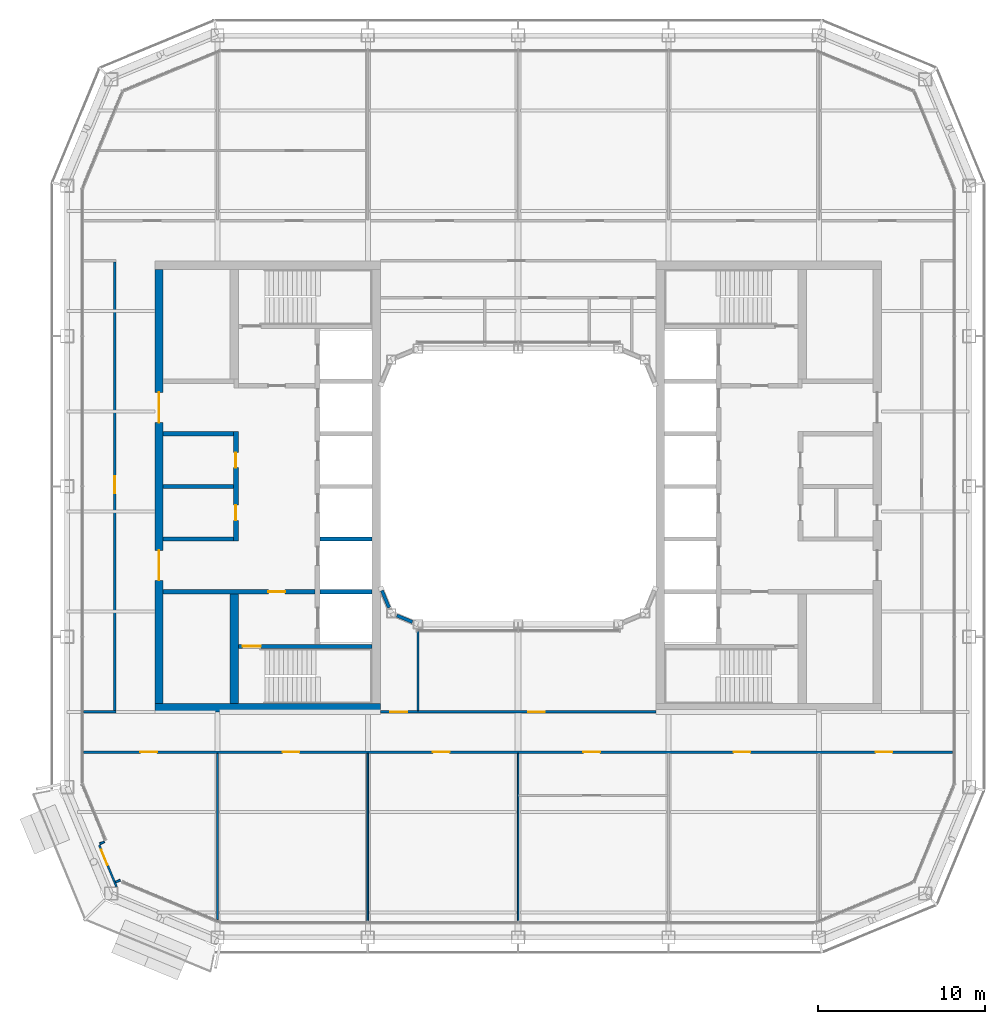
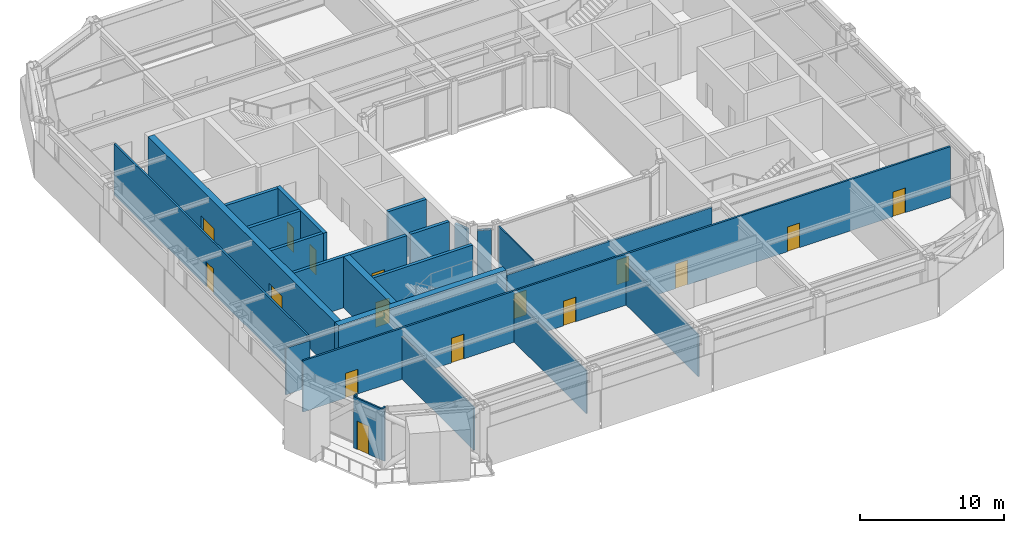
# One storey, part 13 of 23: 24 walls, 16 doors, 16 openings.
"""IFC4 building model written with IfcOpenShell, lengths in metres."""

from ifc_helpers import new_model, si_unit, direction, frame, frame_2d, origin, place, context, subcontext, project, spatial, rectangle, extrude, material, layer, layer_set, type_object, element, fill, save


model = new_model("IFC4")

# Units and contexts
model_context = context("Model", 3, precision=1e-05, world=origin(), true_north=direction((0.0, 1.0)))
body_context = subcontext(model_context, "Body", "Model", "MODEL_VIEW")
ifc_project = project(units=[si_unit("LENGTHUNIT", "METRE"), si_unit("AREAUNIT", "SQUARE_METRE"), si_unit("VOLUMEUNIT", "CUBIC_METRE"), si_unit("PLANEANGLEUNIT", "RADIAN"), si_unit("MASSUNIT", "GRAM", prefix="KILO")], contexts=[model_context])

# Site, building, storey
site_placement = place(None, origin())
site = spatial("IfcSite", under=ifc_project, at=site_placement, CompositionType="ELEMENT")
building_placement = place(site_placement, origin())
building = spatial("IfcBuilding", under=site, at=building_placement, Name="Siwar Civic Tower", CompositionType="ELEMENT")
storey_placement = place(building_placement, frame((0.0, 0.0, 251.199951171875)))
storey = spatial("IfcBuildingStorey", under=building, at=storey_placement, Name="L54", CompositionType="ELEMENT", Elevation=251.199951171875)

# Wall, opening, door
ifc_material_1 = material(Name="Concrete C60/75", Category="concrete")
ifc_layer_1 = layer(ifc_material_1, 0.25)
ifc_layer_set_1 = layer_set([ifc_layer_1], Name="Concrete C60/75")
wall_type_1 = type_object("IfcWallType", Name="CORE-WALL-RC250", PredefinedType="SHEAR", material=ifc_layer_set_1)
wall_1_placement = place(storey_placement, frame((-12.14990234375, -6.300048828125, 0.0), z_axis=(0.0, 0.0, 1.0), x_axis=(-1.0, 0.0, 0.0)))
wall_1 = element("IfcWall", 1, at=wall_1_placement, inside=storey, type_object=wall_type_1, Name="Core wall W", PredefinedType="SHEAR", context=body_context, shape_type="SweptSolid", body=[
    extrude(rectangle(XDim=9.10009765625, YDim=0.25, at=frame_2d((4.550048828125, 0.0))), origin(), (0.0, 0.0, 1.0), 4.35009765625),
])
opening_1_placement = place(wall_1_placement, frame((1.800048828125, 0.0, 0.0)))
opening_1 = element("IfcOpeningElement", 2, at=opening_1_placement, cuts=wall_1, Name="Opening L54-CW02", PredefinedType="OPENING", context=body_context, shape_type="SweptSolid", body=[
    extrude(rectangle(XDim=1.0, YDim=2.10009765625, at=frame_2d((0.5, 1.050048828125))), frame((0.0, 0.135009765625, 0.0), z_axis=(0.0, -1.0, 0.0), x_axis=(1.0, 0.0, 0.0)), (0.0, 0.0, 1.0), 0.27001953125),
])
ifc_material_2 = material(Name="Steel door leaf", Category="steel")
door_type_1 = type_object("IfcDoorType", Name="CORE-DOOR-FD30S", OperationType="SINGLE_SWING_LEFT", PredefinedType="DOOR", material=ifc_material_2)
door_1_placement = place(opening_1_placement, origin())
door_1 = element("IfcDoor", 3, at=door_1_placement, inside=storey, type_object=door_type_1, Name="Service lobby door L54-CW02", OperationType="SINGLE_SWING_RIGHT", OverallHeight=2.10009765625, OverallWidth=1.0, PredefinedType="DOOR", context=body_context, shape_type="SweptSolid", body=[
    extrude(rectangle(XDim=1.0, YDim=2.10009765625, at=frame_2d((0.5, 1.050048828125))), frame((0.0, 0.02490234375, 0.0), z_axis=(0.0, -1.0, 0.0), x_axis=(1.0, 0.0, 0.0)), (0.0, 0.0, 1.0), 0.050048828125),
])
fill(opening_1, door_1)

# Walls
for number, where, z_axis, x_axis, name in (
    (4, (-17.050048828125, 0.0, 0.0), (0.0, 0.0, 1.0), (-1.0, 0.0, 0.0), "Core wall W"),
    (5, (-17.050048828125, 3.14990234375, 0.0), (0.0, 0.0, 1.0), (-1.0, 0.0, 0.0), "Core wall W"),
    (6, (-17.050048828125, -3.14990234375, 0.0), (0.0, 0.0, 1.0), (-1.0, 0.0, 0.0), "Core wall W"),
):
    element("IfcWall", number, at=place(storey_placement, frame(where, z_axis=z_axis, x_axis=x_axis)), inside=storey, type_object=wall_type_1, Name=name, PredefinedType="SHEAR", context=body_context, shape_type="SweptSolid", body=[
        extrude(rectangle(XDim=4.199951171875, YDim=0.25, at=frame_2d((2.10009765625, 0.0))), origin(), (0.0, 0.0, 1.0), 4.35009765625),
    ])
for number, where, z_axis, x_axis, name in (
    (7, (-8.75, -3.14990234375, 0.0), (0.0, 0.0, 1.0), (-1.0, 0.0, 0.0), "Core wall W"),
    (8, (-8.75, -6.300048828125, 0.0), (0.0, 0.0, 1.0), (-1.0, 0.0, 0.0), "Core wall W"),
):
    element("IfcWall", number, at=place(storey_placement, frame(where, z_axis=z_axis, x_axis=x_axis)), inside=storey, type_object=wall_type_1, Name=name, PredefinedType="SHEAR", context=body_context, shape_type="SweptSolid", body=[
        extrude(rectangle(XDim=3.10009765625, YDim=0.25, at=frame_2d((1.550048828125, 0.0))), origin(), (0.0, 0.0, 1.0), 4.35009765625),
    ])

# Wall, opening, door
wall_2_placement = place(storey_placement, frame((-8.75, -9.574951171875, 0.0), z_axis=(0.0, 0.0, 1.0), x_axis=(-1.0, 0.0, 0.0)))
wall_2 = element("IfcWall", 9, at=wall_2_placement, inside=storey, type_object=wall_type_1, Name="Core wall W", PredefinedType="SHEAR", context=body_context, shape_type="SweptSolid", body=[
    extrude(rectangle(XDim=8.0, YDim=0.25, at=frame_2d((4.0, 0.0))), origin(), (0.0, 0.0, 1.0), 4.35009765625),
])
opening_2_placement = place(wall_2_placement, frame((6.64990234375, 0.0, 0.0)))
opening_2 = element("IfcOpeningElement", 10, at=opening_2_placement, cuts=wall_2, Name="Opening L54-CW04", PredefinedType="OPENING", context=body_context, shape_type="SweptSolid", body=[
    extrude(rectangle(XDim=1.10009765625, YDim=2.10009765625, at=frame_2d((0.550048828125, 1.050048828125))), frame((0.0, 0.135009765625, 0.0), z_axis=(0.0, -1.0, 0.0), x_axis=(1.0, 0.0, 0.0)), (0.0, 0.0, 1.0), 0.27001953125),
])
ifc_material_3 = material(Name="Steel door leaf", Category="steel")
door_type_2 = type_object("IfcDoorType", Name="CORE-DOOR-FD60S", OperationType="SINGLE_SWING_LEFT", PredefinedType="DOOR", material=ifc_material_3)
door_2_placement = place(opening_2_placement, origin())
door_2 = element("IfcDoor", 11, at=door_2_placement, inside=storey, type_object=door_type_2, Name="Stair door L54-CW04", OperationType="SINGLE_SWING_LEFT", OverallHeight=2.10009765625, OverallWidth=1.10009765625, PredefinedType="DOOR", context=body_context, shape_type="SweptSolid", body=[
    extrude(rectangle(XDim=1.10009765625, YDim=2.10009765625, at=frame_2d((0.550048828125, 1.050048828125))), frame((0.0, 0.02490234375, 0.0), z_axis=(0.0, -1.0, 0.0), x_axis=(1.0, 0.0, 0.0)), (0.0, 0.0, 1.0), 0.050048828125),
])
fill(opening_2, door_2)

# Wall, openings, doors
ifc_material_4 = material(Name="Concrete C60/75", Category="concrete")
ifc_layer_2 = layer(ifc_material_4, 0.300048828125)
ifc_layer_set_2 = layer_set([ifc_layer_2], Name="Concrete C60/75")
wall_type_2 = type_object("IfcWallType", Name="CORE-WALL-RC300", PredefinedType="SHEAR", material=ifc_layer_set_2)
wall_3_placement = place(storey_placement, frame((-16.89990234375, -3.27490234375, 0.0), z_axis=(0.0, 0.0, 1.0), x_axis=(0.0, 1.0, 0.0)))
wall_3 = element("IfcWall", 12, at=wall_3_placement, inside=storey, type_object=wall_type_2, Name="Core wall W", PredefinedType="SHEAR", context=body_context, shape_type="SweptSolid", body=[
    extrude(rectangle(XDim=6.5498046875, YDim=0.300048828125, at=frame_2d((3.27490234375, 0.0))), origin(), (0.0, 0.0, 1.0), 4.35009765625),
])
opening_3_placement = place(wall_3_placement, frame((1.25, 0.0, 0.0)))
opening_3 = element("IfcOpeningElement", 13, at=opening_3_placement, cuts=wall_3, Name="Opening L54-CW13", PredefinedType="OPENING", context=body_context, shape_type="SweptSolid", body=[
    extrude(rectangle(XDim=0.89990234375, YDim=2.10009765625, at=frame_2d((0.449951171875, 1.050048828125))), frame((0.0, 0.16015625, 0.0), z_axis=(0.0, -1.0, 0.0), x_axis=(1.0, 0.0, 0.0)), (0.0, 0.0, 1.0), 0.320068359375),
])
opening_4_placement = place(wall_3_placement, frame((4.39990234375, 0.0, 0.0)))
opening_4 = element("IfcOpeningElement", 14, at=opening_4_placement, cuts=wall_3, Name="Opening L54-CW14", PredefinedType="OPENING", context=body_context, shape_type="SweptSolid", body=[
    extrude(rectangle(XDim=0.89990234375, YDim=2.10009765625, at=frame_2d((0.449951171875, 1.050048828125))), frame((0.0, 0.16015625, 0.0), z_axis=(0.0, -1.0, 0.0), x_axis=(1.0, 0.0, 0.0)), (0.0, 0.0, 1.0), 0.320068359375),
])
ifc_material_5 = material(Name="Steel door leaf", Category="steel")
door_type_3 = type_object("IfcDoorType", Name="CORE-DOOR-ROOM", OperationType="SINGLE_SWING_LEFT", PredefinedType="DOOR", material=ifc_material_5)
door_3_placement = place(opening_3_placement, origin())
door_3 = element("IfcDoor", 15, at=door_3_placement, inside=storey, type_object=door_type_3, Name="Core room door L54-CW13", OperationType="SINGLE_SWING_LEFT", OverallHeight=2.10009765625, OverallWidth=0.89990234375, PredefinedType="DOOR", context=body_context, shape_type="SweptSolid", body=[
    extrude(rectangle(XDim=0.89990234375, YDim=2.10009765625, at=frame_2d((0.449951171875, 1.050048828125))), frame((0.0, 0.02490234375, 0.0), z_axis=(0.0, -1.0, 0.0), x_axis=(1.0, 0.0, 0.0)), (0.0, 0.0, 1.0), 0.050048828125),
])
fill(opening_3, door_3)
door_4_placement = place(opening_4_placement, origin())
door_4 = element("IfcDoor", 16, at=door_4_placement, inside=storey, type_object=door_type_3, Name="Core room door L54-CW14", OperationType="SINGLE_SWING_RIGHT", OverallHeight=2.10009765625, OverallWidth=0.89990234375, PredefinedType="DOOR", context=body_context, shape_type="SweptSolid", body=[
    extrude(rectangle(XDim=0.89990234375, YDim=2.10009765625, at=frame_2d((0.449951171875, 1.050048828125))), frame((0.0, 0.02490234375, 0.0), z_axis=(0.0, -1.0, 0.0), x_axis=(1.0, 0.0, 0.0)), (0.0, 0.0, 1.0), 0.050048828125),
])
fill(opening_4, door_4)

ifc_material_6 = material(Name="Concrete C60/75", Category="concrete")
ifc_layer_3 = layer(ifc_material_6, 0.5)
ifc_layer_set_3 = layer_set([ifc_layer_3], Name="Concrete C60/75")
wall_type_3 = type_object("IfcWallType", Name="CORE-WALL-RC500", PredefinedType="SHEAR", material=ifc_layer_set_3)
wall_4_placement = place(storey_placement, frame((-21.5, -13.0, 0.0), z_axis=(0.0, 0.0, 1.0), x_axis=(0.0, 1.0, 0.0)))
wall_4 = element("IfcWall", 17, at=wall_4_placement, inside=storey, type_object=wall_type_3, Name="Core wall W", PredefinedType="SHEAR", context=body_context, shape_type="SweptSolid", body=[
    extrude(rectangle(XDim=26.0, YDim=0.5, at=frame_2d((13.0, 0.0))), origin(), (0.0, 0.0, 1.0), 4.35009765625),
])
opening_5_placement = place(wall_4_placement, frame((16.824951171875, 0.0, 0.0)))
opening_5 = element("IfcOpeningElement", 18, at=opening_5_placement, cuts=wall_4, Name="Opening L54-CW05", PredefinedType="OPENING", context=body_context, shape_type="SweptSolid", body=[
    extrude(rectangle(XDim=1.800048828125, YDim=2.10009765625, at=frame_2d((0.89990234375, 1.050048828125))), frame((0.0, 0.260009765625, 0.0), z_axis=(0.0, -1.0, 0.0), x_axis=(1.0, 0.0, 0.0)), (0.0, 0.0, 1.0), 0.52001953125),
])
opening_6_placement = place(wall_4_placement, frame((7.375, 0.0, 0.0)))
opening_6 = element("IfcOpeningElement", 19, at=opening_6_placement, cuts=wall_4, Name="Opening L54-CW06", PredefinedType="OPENING", context=body_context, shape_type="SweptSolid", body=[
    extrude(rectangle(XDim=1.800048828125, YDim=2.10009765625, at=frame_2d((0.89990234375, 1.050048828125))), frame((0.0, 0.260009765625, 0.0), z_axis=(0.0, -1.0, 0.0), x_axis=(1.0, 0.0, 0.0)), (0.0, 0.0, 1.0), 0.52001953125),
])
ifc_material_7 = material(Name="Steel door leaf", Category="steel")
door_type_4 = type_object("IfcDoorType", Name="CORE-DOOR-PORT", OperationType="DOUBLE_DOOR_DOUBLE_SWING", PredefinedType="DOOR", material=ifc_material_7)
door_5_placement = place(opening_5_placement, origin())
door_5 = element("IfcDoor", 20, at=door_5_placement, inside=storey, type_object=door_type_4, Name="Core entrance door L54-CW05", OperationType="DOUBLE_DOOR_DOUBLE_SWING", OverallHeight=2.10009765625, OverallWidth=1.800048828125, PredefinedType="DOOR", context=body_context, shape_type="SweptSolid", body=[
    extrude(rectangle(XDim=1.800048828125, YDim=2.10009765625, at=frame_2d((0.89990234375, 1.050048828125))), frame((0.0, 0.02490234375, 0.0), z_axis=(0.0, -1.0, 0.0), x_axis=(1.0, 0.0, 0.0)), (0.0, 0.0, 1.0), 0.050048828125),
])
fill(opening_5, door_5)
door_6_placement = place(opening_6_placement, origin())
door_6 = element("IfcDoor", 21, at=door_6_placement, inside=storey, type_object=door_type_4, Name="Core entrance door L54-CW06", OperationType="DOUBLE_DOOR_DOUBLE_SWING", OverallHeight=2.10009765625, OverallWidth=1.800048828125, PredefinedType="DOOR", context=body_context, shape_type="SweptSolid", body=[
    extrude(rectangle(XDim=1.800048828125, YDim=2.10009765625, at=frame_2d((0.89990234375, 1.050048828125))), frame((0.0, 0.02490234375, 0.0), z_axis=(0.0, -1.0, 0.0), x_axis=(1.0, 0.0, 0.0)), (0.0, 0.0, 1.0), 0.050048828125),
])
fill(opening_6, door_6)

# Walls
wall_5_placement = place(storey_placement, frame((-17.0, -13.0, 0.0), z_axis=(0.0, 0.0, 1.0), x_axis=(0.0, 1.0, 0.0)))
element("IfcWall", 22, at=wall_5_placement, inside=storey, type_object=wall_type_3, Name="Core wall W", PredefinedType="SHEAR", context=body_context, shape_type="SweptSolid", body=[
    extrude(rectangle(XDim=6.574951171875, YDim=0.5, at=frame_2d((3.28759765625, 0.0))), origin(), (0.0, 0.0, 1.0), 4.35009765625),
])
wall_6_placement = place(storey_placement, frame((-8.25, -13.25, 0.0), z_axis=(0.0, 0.0, 1.0), x_axis=(-1.0, 0.0, 0.0)))
element("IfcWall", 23, at=wall_6_placement, inside=storey, type_object=wall_type_3, Name="Core wall W", PredefinedType="SHEAR", context=body_context, shape_type="SweptSolid", body=[
    extrude(rectangle(XDim=13.5, YDim=0.5, at=frame_2d((6.75, 0.0))), origin(), (0.0, 0.0, 1.0), 4.35009765625),
])

# Wall, openings, doors
ifc_material_8 = material(Name="Gypsum board on steel studs", Category="steel")
ifc_layer_4 = layer(ifc_material_8, 0.14990234375)
ifc_layer_set_4 = layer_set([ifc_layer_4], Name="Gypsum board on steel studs")
wall_type_4 = type_object("IfcWallType", Name="CORRIDOR PARTITION 150 EI 30", PredefinedType="PARTITIONING", material=ifc_layer_set_4)
wall_7_placement = place(storey_placement, frame((-26.010009765625, -15.89990234375, 0.0), z_axis=(0.0, 0.0, 1.0), x_axis=(1.0, 0.0, 0.0)))
wall_7 = element("IfcWall", 24, at=wall_7_placement, inside=storey, type_object=wall_type_4, Name="L54/wall/P02", PredefinedType="PARTITIONING", context=body_context, shape_type="SweptSolid", body=[
    extrude(rectangle(XDim=52.02001953125, YDim=0.14990234375, at=frame_2d((26.010009765625, 0.0))), origin(), (0.0, 0.0, 1.0), 4.35009765625),
])
opening_7_placement = place(wall_7_placement, frame((11.909912109375, 0.0, 0.0)))
opening_7 = element("IfcOpeningElement", 25, at=opening_7_placement, cuts=wall_7, Name="Opening D1", PredefinedType="OPENING", context=body_context, shape_type="SweptSolid", body=[
    extrude(rectangle(XDim=1.0, YDim=2.10009765625, at=frame_2d((0.5, 1.050048828125))), frame((0.0, 0.0849609375, 0.0), z_axis=(0.0, -1.0, 0.0), x_axis=(1.0, 0.0, 0.0)), (0.0, 0.0, 1.0), 0.169921875),
])
opening_8_placement = place(wall_7_placement, frame((20.909912109375, 0.0, 0.0)))
opening_8 = element("IfcOpeningElement", 26, at=opening_8_placement, cuts=wall_7, Name="Opening D1", PredefinedType="OPENING", context=body_context, shape_type="SweptSolid", body=[
    extrude(rectangle(XDim=1.0, YDim=2.10009765625, at=frame_2d((0.5, 1.050048828125))), frame((0.0, 0.0849609375, 0.0), z_axis=(0.0, -1.0, 0.0), x_axis=(1.0, 0.0, 0.0)), (0.0, 0.0, 1.0), 0.169921875),
])
opening_9_placement = place(wall_7_placement, frame((29.909912109375, 0.0, 0.0)))
opening_9 = element("IfcOpeningElement", 27, at=opening_9_placement, cuts=wall_7, Name="Opening D1", PredefinedType="OPENING", context=body_context, shape_type="SweptSolid", body=[
    extrude(rectangle(XDim=1.0, YDim=2.10009765625, at=frame_2d((0.5, 1.050048828125))), frame((0.0, 0.0849609375, 0.0), z_axis=(0.0, -1.0, 0.0), x_axis=(1.0, 0.0, 0.0)), (0.0, 0.0, 1.0), 0.169921875),
])
opening_10_placement = place(wall_7_placement, frame((38.909912109375, 0.0, 0.0)))
opening_10 = element("IfcOpeningElement", 28, at=opening_10_placement, cuts=wall_7, Name="Opening D1", PredefinedType="OPENING", context=body_context, shape_type="SweptSolid", body=[
    extrude(rectangle(XDim=1.0, YDim=2.10009765625, at=frame_2d((0.5, 1.050048828125))), frame((0.0, 0.0849609375, 0.0), z_axis=(0.0, -1.0, 0.0), x_axis=(1.0, 0.0, 0.0)), (0.0, 0.0, 1.0), 0.169921875),
])
opening_11_placement = place(wall_7_placement, frame((3.39990234375, 0.0, 0.0)))
opening_11 = element("IfcOpeningElement", 29, at=opening_11_placement, cuts=wall_7, Name="Opening D1", PredefinedType="OPENING", context=body_context, shape_type="SweptSolid", body=[
    extrude(rectangle(XDim=1.0, YDim=2.10009765625, at=frame_2d((0.5, 1.050048828125))), frame((0.0, 0.0849609375, 0.0), z_axis=(0.0, -1.0, 0.0), x_axis=(1.0, 0.0, 0.0)), (0.0, 0.0, 1.0), 0.169921875),
])
opening_12_placement = place(wall_7_placement, frame((47.409912109375, 0.0, 0.0)))
opening_12 = element("IfcOpeningElement", 30, at=opening_12_placement, cuts=wall_7, Name="Opening D1", PredefinedType="OPENING", context=body_context, shape_type="SweptSolid", body=[
    extrude(rectangle(XDim=1.0, YDim=2.10009765625, at=frame_2d((0.5, 1.050048828125))), frame((0.0, 0.0849609375, 0.0), z_axis=(0.0, -1.0, 0.0), x_axis=(1.0, 0.0, 0.0)), (0.0, 0.0, 1.0), 0.169921875),
])
ifc_material_9 = material(Name="Timber, painted", Category="wood")
door_type_5 = type_object("IfcDoorType", Name="DOOR 1000 X 2100 FD30", OperationType="SINGLE_SWING_LEFT", PredefinedType="DOOR", material=ifc_material_9)
door_7_placement = place(opening_7_placement, origin())
door_7 = element("IfcDoor", 31, at=door_7_placement, inside=storey, type_object=door_type_5, Name="L54-D06", OperationType="SINGLE_SWING_RIGHT", OverallHeight=2.10009765625, OverallWidth=1.0, PredefinedType="DOOR", context=body_context, shape_type="SweptSolid", body=[
    extrude(rectangle(XDim=1.0, YDim=2.10009765625, at=frame_2d((0.5, 1.050048828125))), frame((0.0, 0.02490234375, 0.0), z_axis=(0.0, -1.0, 0.0), x_axis=(1.0, 0.0, 0.0)), (0.0, 0.0, 1.0), 0.050048828125),
])
fill(opening_7, door_7)
door_8_placement = place(opening_8_placement, origin())
door_8 = element("IfcDoor", 32, at=door_8_placement, inside=storey, type_object=door_type_5, Name="L54-D07", OperationType="SINGLE_SWING_LEFT", OverallHeight=2.10009765625, OverallWidth=1.0, PredefinedType="DOOR", context=body_context, shape_type="SweptSolid", body=[
    extrude(rectangle(XDim=1.0, YDim=2.10009765625, at=frame_2d((0.5, 1.050048828125))), frame((0.0, 0.02490234375, 0.0), z_axis=(0.0, -1.0, 0.0), x_axis=(1.0, 0.0, 0.0)), (0.0, 0.0, 1.0), 0.050048828125),
])
fill(opening_8, door_8)
door_9_placement = place(opening_9_placement, origin())
door_9 = element("IfcDoor", 33, at=door_9_placement, inside=storey, type_object=door_type_5, Name="L54-D08", OperationType="SINGLE_SWING_RIGHT", OverallHeight=2.10009765625, OverallWidth=1.0, PredefinedType="DOOR", context=body_context, shape_type="SweptSolid", body=[
    extrude(rectangle(XDim=1.0, YDim=2.10009765625, at=frame_2d((0.5, 1.050048828125))), frame((0.0, 0.02490234375, 0.0), z_axis=(0.0, -1.0, 0.0), x_axis=(1.0, 0.0, 0.0)), (0.0, 0.0, 1.0), 0.050048828125),
])
fill(opening_9, door_9)
door_10_placement = place(opening_10_placement, origin())
door_10 = element("IfcDoor", 34, at=door_10_placement, inside=storey, type_object=door_type_5, Name="L54-D10", OperationType="SINGLE_SWING_RIGHT", OverallHeight=2.10009765625, OverallWidth=1.0, PredefinedType="DOOR", context=body_context, shape_type="SweptSolid", body=[
    extrude(rectangle(XDim=1.0, YDim=2.10009765625, at=frame_2d((0.5, 1.050048828125))), frame((0.0, 0.02490234375, 0.0), z_axis=(0.0, -1.0, 0.0), x_axis=(1.0, 0.0, 0.0)), (0.0, 0.0, 1.0), 0.050048828125),
])
fill(opening_10, door_10)
door_11_placement = place(opening_11_placement, origin())
door_11 = element("IfcDoor", 35, at=door_11_placement, inside=storey, type_object=door_type_5, Name="L54-D14", OperationType="SINGLE_SWING_RIGHT", OverallHeight=2.10009765625, OverallWidth=1.0, PredefinedType="DOOR", context=body_context, shape_type="SweptSolid", body=[
    extrude(rectangle(XDim=1.0, YDim=2.10009765625, at=frame_2d((0.5, 1.050048828125))), frame((0.0, 0.02490234375, 0.0), z_axis=(0.0, -1.0, 0.0), x_axis=(1.0, 0.0, 0.0)), (0.0, 0.0, 1.0), 0.050048828125),
])
fill(opening_11, door_11)
door_12_placement = place(opening_12_placement, origin())
door_12 = element("IfcDoor", 36, at=door_12_placement, inside=storey, type_object=door_type_5, Name="L54-D15", OperationType="SINGLE_SWING_LEFT", OverallHeight=2.10009765625, OverallWidth=1.0, PredefinedType="DOOR", context=body_context, shape_type="SweptSolid", body=[
    extrude(rectangle(XDim=1.0, YDim=2.10009765625, at=frame_2d((0.5, 1.050048828125))), frame((0.0, 0.02490234375, 0.0), z_axis=(0.0, -1.0, 0.0), x_axis=(1.0, 0.0, 0.0)), (0.0, 0.0, 1.0), 0.050048828125),
])
fill(opening_12, door_12)

# Wall
wall_8_placement = place(storey_placement, frame((-26.010009765625, -13.5, 0.0), z_axis=(0.0, 0.0, 1.0), x_axis=(1.0, 0.0, 0.0)))
element("IfcWall", 37, at=wall_8_placement, inside=storey, type_object=wall_type_4, Name="L54/wall/P03", PredefinedType="PARTITIONING", context=body_context, shape_type="SweptSolid", body=[
    extrude(rectangle(XDim=1.93505859375, YDim=0.14990234375, at=frame_2d((0.967529296875, 0.0))), origin(), (0.0, 0.0, 1.0), 3.949951171875),
])

# Wall, openings, doors
wall_9_placement = place(storey_placement, frame((-8.25, -13.5, 0.0), z_axis=(0.0, 0.0, 1.0), x_axis=(1.0, 0.0, 0.0)))
wall_9 = element("IfcWall", 38, at=wall_9_placement, inside=storey, type_object=wall_type_4, Name="L54/wall/P04", PredefinedType="PARTITIONING", context=body_context, shape_type="SweptSolid", body=[
    extrude(rectangle(XDim=16.5, YDim=0.14990234375, at=frame_2d((8.25, 0.0))), origin(), (0.0, 0.0, 1.0), 3.949951171875),
])
opening_13_placement = place(wall_9_placement, frame((0.60009765625, 0.0, 0.0)))
opening_13 = element("IfcOpeningElement", 39, at=opening_13_placement, cuts=wall_9, Name="Opening D3", PredefinedType="OPENING", context=body_context, shape_type="SweptSolid", body=[
    extrude(rectangle(XDim=1.0, YDim=2.10009765625, at=frame_2d((0.5, 1.050048828125))), frame((0.0, 0.0849609375, 0.0), z_axis=(0.0, -1.0, 0.0), x_axis=(1.0, 0.0, 0.0)), (0.0, 0.0, 1.0), 0.169921875),
])
opening_14_placement = place(wall_9_placement, frame((8.85009765625, 0.0, 0.0)))
opening_14 = element("IfcOpeningElement", 40, at=opening_14_placement, cuts=wall_9, Name="Opening D1", PredefinedType="OPENING", context=body_context, shape_type="SweptSolid", body=[
    extrude(rectangle(XDim=1.0, YDim=2.10009765625, at=frame_2d((0.5, 1.050048828125))), frame((0.0, 0.0849609375, 0.0), z_axis=(0.0, -1.0, 0.0), x_axis=(1.0, 0.0, 0.0)), (0.0, 0.0, 1.0), 0.169921875),
])
door_13_placement = place(opening_14_placement, origin())
door_13 = element("IfcDoor", 41, at=door_13_placement, inside=storey, type_object=door_type_5, Name="L54-D24", OperationType="SINGLE_SWING_RIGHT", OverallHeight=2.10009765625, OverallWidth=1.0, PredefinedType="DOOR", context=body_context, shape_type="SweptSolid", body=[
    extrude(rectangle(XDim=1.0, YDim=2.10009765625, at=frame_2d((0.5, 1.050048828125))), frame((0.0, 0.02490234375, 0.0), z_axis=(0.0, -1.0, 0.0), x_axis=(1.0, 0.0, 0.0)), (0.0, 0.0, 1.0), 0.050048828125),
])
fill(opening_14, door_13)
ifc_material_10 = material(Name="Timber, painted", Category="wood")
door_type_6 = type_object("IfcDoorType", Name="DOOR 1000 X 2100 WC", OperationType="SINGLE_SWING_LEFT", PredefinedType="DOOR", material=ifc_material_10)
door_14_placement = place(opening_13_placement, origin())
door_14 = element("IfcDoor", 42, at=door_14_placement, inside=storey, type_object=door_type_6, Name="L54-D23", OperationType="SINGLE_SWING_LEFT", OverallHeight=2.10009765625, OverallWidth=1.0, PredefinedType="DOOR", context=body_context, shape_type="SweptSolid", body=[
    extrude(rectangle(XDim=1.0, YDim=2.10009765625, at=frame_2d((0.5, 1.050048828125))), frame((0.0, 0.02490234375, 0.0), z_axis=(0.0, -1.0, 0.0), x_axis=(1.0, 0.0, 0.0)), (0.0, 0.0, 1.0), 0.050048828125),
])
fill(opening_13, door_14)

# Wall, opening, door
wall_10_placement = place(storey_placement, frame((-24.14990234375, -13.425048828125, 0.0), z_axis=(0.0, 0.0, 1.0), x_axis=(0.0, 1.0, 0.0)))
wall_10 = element("IfcWall", 43, at=wall_10_placement, inside=storey, type_object=wall_type_4, Name="L54/wall/P13", PredefinedType="PARTITIONING", context=body_context, shape_type="SweptSolid", body=[
    extrude(rectangle(XDim=26.85009765625, YDim=0.14990234375, at=frame_2d((13.425048828125, 0.0))), origin(), (0.0, 0.0, 1.0), 4.35009765625),
])
opening_15_placement = place(wall_10_placement, frame((13.02490234375, 0.0, 0.0)))
opening_15 = element("IfcOpeningElement", 44, at=opening_15_placement, cuts=wall_10, Name="Opening D1", PredefinedType="OPENING", context=body_context, shape_type="SweptSolid", body=[
    extrude(rectangle(XDim=1.0, YDim=2.10009765625, at=frame_2d((0.5, 1.050048828125))), frame((0.0, 0.0849609375, 0.0), z_axis=(0.0, -1.0, 0.0), x_axis=(1.0, 0.0, 0.0)), (0.0, 0.0, 1.0), 0.169921875),
])
door_15_placement = place(opening_15_placement, origin())
door_15 = element("IfcDoor", 45, at=door_15_placement, inside=storey, type_object=door_type_5, Name="L54-D16", OperationType="SINGLE_SWING_RIGHT", OverallHeight=2.10009765625, OverallWidth=1.0, PredefinedType="DOOR", context=body_context, shape_type="SweptSolid", body=[
    extrude(rectangle(XDim=1.0, YDim=2.10009765625, at=frame_2d((0.5, 1.050048828125))), frame((0.0, 0.02490234375, 0.0), z_axis=(0.0, -1.0, 0.0), x_axis=(1.0, 0.0, 0.0)), (0.0, 0.0, 1.0), 0.050048828125),
])
fill(opening_15, door_15)

# Walls
ifc_material_11 = material(Name="Aluminium clad insulated panel", Category="aluminium")
ifc_layer_5 = layer(ifc_material_11, 0.1201171875)
ifc_layer_set_5 = layer_set([ifc_layer_5], Name="Aluminium clad insulated panel")
wall_type_5 = type_object("IfcWallType", Name="ENV-WALL-BAL", PredefinedType="STANDARD", material=ifc_layer_set_5)
wall_11_placement = place(storey_placement, frame((-24.766357421875, -21.27587890625, 0.0), z_axis=(0.0, 0.0, 1.0), x_axis=(-0.923917630863, -0.382591441855, 0.0)))
element("IfcWall", 46, at=wall_11_placement, inside=storey, type_object=wall_type_5, Name="Balcony door wall return SW1", PredefinedType="STANDARD", context=body_context, shape_type="SweptSolid", body=[
    extrude(rectangle(XDim=0.2998046875, YDim=0.1201171875, at=frame_2d((0.14990234375, 0.0))), origin(), (0.0, 0.0, 1.0), 4.35009765625),
])
wall_12_placement = place(storey_placement, frame((-23.817626953125, -23.56640625, 0.0), z_axis=(0.0, 0.0, 1.0), x_axis=(-0.923629715641, -0.383285987724, 0.0)))
element("IfcWall", 47, at=wall_12_placement, inside=storey, type_object=wall_type_5, Name="Balcony door wall return SW1", PredefinedType="STANDARD", context=body_context, shape_type="SweptSolid", body=[
    extrude(rectangle(XDim=0.300048828125, YDim=0.1201171875, at=frame_2d((0.14990234375, 0.0))), origin(), (0.0, 0.0, 1.0), 4.35009765625),
])

# Wall, opening, door
wall_13_placement = place(storey_placement, frame((-25.075927734375, -21.468994140625, 0.0), z_axis=(0.0, 0.0, 1.0), x_axis=(0.382695131424, -0.923874686516, 0.0)))
wall_13 = element("IfcWall", 48, at=wall_13_placement, inside=storey, type_object=wall_type_5, Name="Balcony door wall SW1", PredefinedType="STANDARD", context=body_context, shape_type="SweptSolid", body=[
    extrude(rectangle(XDim=2.700439453125, YDim=0.1201171875, at=frame_2d((1.35009765625, 0.0))), origin(), (0.0, 0.0, 1.0), 4.35009765625),
])
opening_16_placement = place(wall_13_placement, frame((0.300048828125, 0.0, 0.0)))
opening_16 = element("IfcOpeningElement", 49, at=opening_16_placement, cuts=wall_13, Name="Opening D-BAL", PredefinedType="OPENING", context=body_context, shape_type="SweptSolid", body=[
    extrude(rectangle(XDim=1.0, YDim=2.39990234375, at=frame_2d((0.5, 1.199951171875))), frame((0.0, 0.070068359375, 0.0), z_axis=(0.0, -1.0, 0.0), x_axis=(1.0, 0.0, 0.0)), (0.0, 0.0, 1.0), 0.14013671875),
])
ifc_material_12 = material(Name="Aluminium and glass", Category="aluminium")
door_type_7 = type_object("IfcDoorType", Name="ENV-DOOR-BAL", OperationType="SINGLE_SWING_LEFT", PredefinedType="DOOR", material=ifc_material_12)
door_16_placement = place(opening_16_placement, origin())
door_16 = element("IfcDoor", 50, at=door_16_placement, inside=storey, type_object=door_type_7, Name="Balcony door SW", OperationType="SINGLE_SWING_LEFT", OverallHeight=2.39990234375, OverallWidth=1.0, PredefinedType="DOOR", context=body_context, shape_type="SweptSolid", body=[
    extrude(rectangle(XDim=1.0, YDim=2.39990234375, at=frame_2d((0.5, 1.199951171875))), frame((0.0, 0.02490234375, 0.0), z_axis=(0.0, -1.0, 0.0), x_axis=(1.0, 0.0, 0.0)), (0.0, 0.0, 1.0), 0.050048828125),
])
fill(opening_16, door_16)

# Walls
ifc_material_13 = material(Name="Aluminium clad insulated panel", Category="aluminium")
ifc_layer_6 = layer(ifc_material_13, 0.199951171875)
ifc_layer_set_6 = layer_set([ifc_layer_6], Name="Aluminium clad insulated panel")
wall_type_6 = type_object("IfcWallType", Name="ENV-WALL-WELL", PredefinedType="STANDARD", material=ifc_layer_set_6)
wall_14_placement = place(storey_placement, frame((-8.154296875, -6.23095703125, 0.0), z_axis=(0.0, 0.0, 1.0), x_axis=(0.382635994082, -0.923899180665, 0.0)))
element("IfcWall", 51, at=wall_14_placement, inside=storey, type_object=wall_type_6, Name="Light well corner wall SW1", PredefinedType="STANDARD", context=body_context, shape_type="SweptSolid", body=[
    extrude(rectangle(XDim=1.11279296875, YDim=0.199951171875, at=frame_2d((0.556396484375, 0.0))), origin(), (0.0, 0.0, 1.0), 3.91796875),
])
wall_15_placement = place(storey_placement, frame((-7.259033203125, -7.728515625, 0.0), z_axis=(0.0, 0.0, 1.0), x_axis=(0.923859650767, -0.382731427616, 0.0)))
element("IfcWall", 52, at=wall_15_placement, inside=storey, type_object=wall_type_6, Name="Light well corner wall SW2", PredefinedType="STANDARD", context=body_context, shape_type="SweptSolid", body=[
    extrude(rectangle(XDim=1.00341796875, YDim=0.199951171875, at=frame_2d((0.501708984375, 0.0))), origin(), (0.0, 0.0, 1.0), 3.91796875),
])
ifc_material_14 = material(Name="Gypsum board on steel studs", Category="steel")
ifc_layer_7 = layer(ifc_material_14, 0.10009765625)
ifc_layer_set_7 = layer_set([ifc_layer_7], Name="Gypsum board on steel studs")
wall_type_7 = type_object("IfcWallType", Name="PARTITION 100 GYPSUM", PredefinedType="PARTITIONING", material=ifc_layer_set_7)
wall_16_placement = place(storey_placement, frame((-18.0, -25.927978515625, 0.0), z_axis=(0.0, 0.0, 1.0), x_axis=(0.0, 1.0, 0.0)))
element("IfcWall", 53, at=wall_16_placement, inside=storey, type_object=wall_type_7, Name="L54/wall/P14", PredefinedType="PARTITIONING", context=body_context, shape_type="SweptSolid", body=[
    extrude(rectangle(XDim=9.952880859375, YDim=0.10009765625, at=frame_2d((4.9765625, 0.0))), origin(), (0.0, 0.0, 1.0), 3.650146484375),
])
wall_17_placement = place(storey_placement, frame((-9.0, -26.010009765625, 0.0), z_axis=(0.0, 0.0, 1.0), x_axis=(0.0, 1.0, 0.0)))
element("IfcWall", 54, at=wall_17_placement, inside=storey, type_object=wall_type_7, Name="L54/wall/P17", PredefinedType="PARTITIONING", context=body_context, shape_type="SweptSolid", body=[
    extrude(rectangle(XDim=10.034912109375, YDim=0.10009765625, at=frame_2d((5.017578125, 0.0))), origin(), (0.0, 0.0, 1.0), 3.650146484375),
])
wall_18_placement = place(storey_placement, frame((-6.0, -13.425048828125, 0.0), z_axis=(0.0, 0.0, 1.0), x_axis=(0.0, 1.0, 0.0)))
element("IfcWall", 55, at=wall_18_placement, inside=storey, type_object=wall_type_7, Name="L54/wall/P19", PredefinedType="PARTITIONING", context=body_context, shape_type="SweptSolid", body=[
    extrude(rectangle(XDim=4.824951171875, YDim=0.10009765625, at=frame_2d((2.41259765625, 0.0))), origin(), (0.0, 0.0, 1.0), 4.35009765625),
])
wall_19_placement = place(storey_placement, frame((0.0, -26.010009765625, 0.0), z_axis=(0.0, 0.0, 1.0), x_axis=(0.0, 1.0, 0.0)))
element("IfcWall", 56, at=wall_19_placement, inside=storey, type_object=wall_type_7, Name="L54/wall/P21", PredefinedType="PARTITIONING", context=body_context, shape_type="SweptSolid", body=[
    extrude(rectangle(XDim=10.034912109375, YDim=0.10009765625, at=frame_2d((5.017578125, 0.0))), origin(), (0.0, 0.0, 1.0), 3.550048828125),
])

save(model, "model.ifc")
